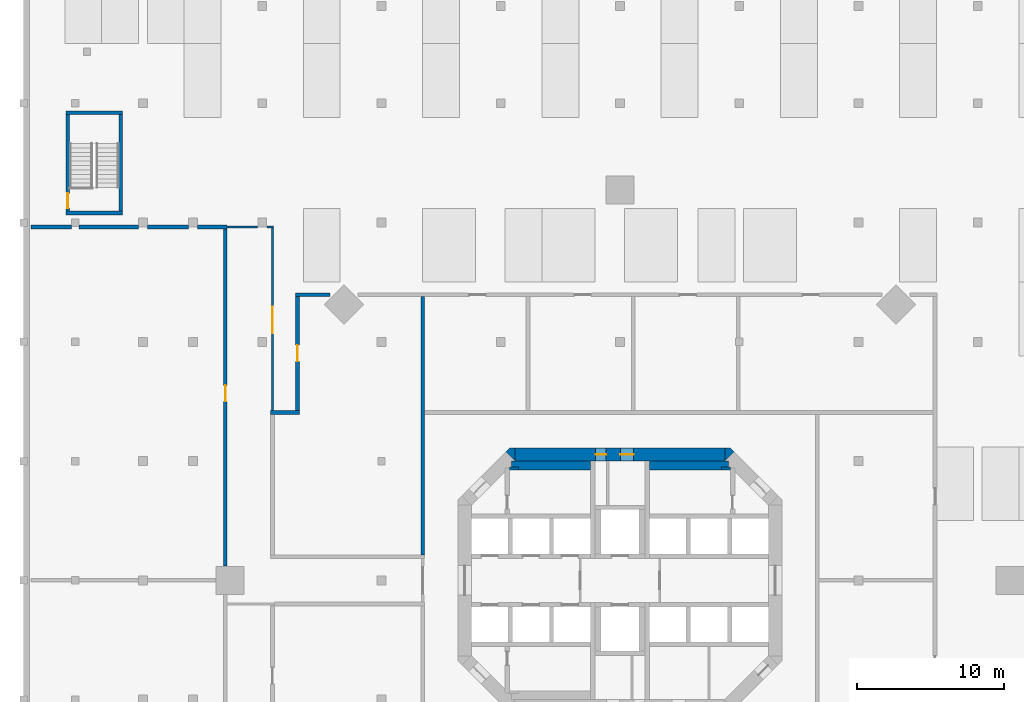
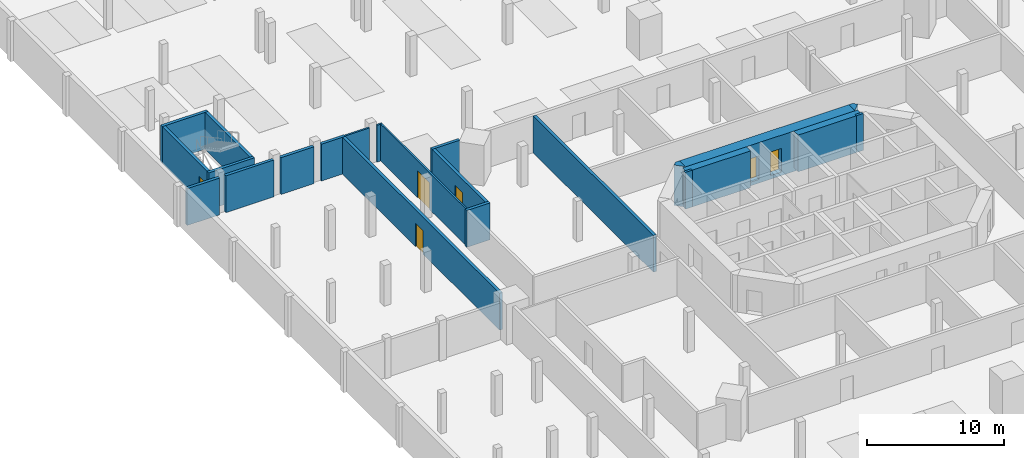
# One storey, part 9 of 14: 23 walls, 6 doors, 6 openings.
"""IFC4 building model written with IfcOpenShell, lengths in metres."""

import ifcopenshell
import ifcopenshell.guid

model = None  # the IFC model being written
_history = None  # IfcOwnerHistory: only IFC2X3 demands one
_inside = {}  # id of a spatial element -> (the spatial element, [elements in it])
_under = {}  # id of a project, library or spatial element -> (it, [spatial elements below it])
_declared = {}  # id of a project -> (the project, [libraries it declares])
_typed = {}  # id of a type object -> (the type object, [elements of that type])
_made_of = {}  # id of a material, layer set ... -> (it, [elements and type objects made of it])


def new_model(schema):
    """Start an empty IFC model of exactly this schema.

    Asked for "IFC4X3", IfcOpenShell would pick the latest addendum, in which some entities
    have other attributes; the version numbers below select the first issue.
    IFC2X3 requires an IfcOwnerHistory on every rooted entity: one is made here for all.
    """
    global model, _history
    if schema == "IFC4X3":
        model = ifcopenshell.file(schema_version=(4, 3, 0, 0))
    else:
        model = ifcopenshell.file(schema=schema)
    _inside.clear()
    _under.clear()
    _declared.clear()
    _typed.clear()
    _made_of.clear()
    _history = None
    if model.schema == "IFC2X3":
        org = make("IfcOrganization", Name="unknown")
        user = make(
            "IfcPersonAndOrganization",
            ThePerson=make("IfcPerson", FamilyName="unknown"),
            TheOrganization=org,
        )
        app = make(
            "IfcApplication",
            ApplicationDeveloper=org,
            Version="unknown",
            ApplicationFullName="unknown",
            ApplicationIdentifier="unknown",
        )
        _history = make(
            "IfcOwnerHistory",
            OwningUser=user,
            OwningApplication=app,
            ChangeAction="ADDED",
            CreationDate=0,
        )
    return model


def make(cls, **values):
    """One entity of the class cls with the attributes given. An attribute that is None is left unset."""
    return model.create_entity(
        cls, **{name: value for name, value in values.items() if value is not None}
    )


def rooted(cls, **values):
    """An entity with a GlobalId (a new one), such as an element, a storey or a relation."""
    return make(cls, GlobalId=ifcopenshell.guid.new(), OwnerHistory=_history, **values)


def si_unit(unit_type, name, prefix=None):
    """IfcSIUnit, for example si_unit("LENGTHUNIT", "METRE", prefix="MILLI")."""
    return make("IfcSIUnit", UnitType=unit_type, Prefix=prefix, Name=name)


def assignment(units):
    """IfcUnitAssignment: the units of a project."""
    return None if units is None else make("IfcUnitAssignment", Units=units)


def point(xyz):
    """IfcCartesianPoint."""
    return None if xyz is None else make("IfcCartesianPoint", Coordinates=xyz)


def direction(xyz):
    """IfcDirection."""
    return None if xyz is None else make("IfcDirection", DirectionRatios=xyz)


def frame(location, z_axis=None, x_axis=None):
    """IfcAxis2Placement3D, a coordinate frame: its origin and axes. An axis left out is left unset."""
    return make(
        "IfcAxis2Placement3D",
        Location=point(location),
        Axis=direction(z_axis),
        RefDirection=direction(x_axis),
    )


def frame_2d(location, x_axis=None):
    """IfcAxis2Placement2D, a coordinate frame in the plane: its origin and x axis."""
    return make(
        "IfcAxis2Placement2D", Location=point(location), RefDirection=direction(x_axis)
    )


def origin():
    """The frame at (0, 0, 0) with its axes left unset."""
    return frame((0.0, 0.0, 0.0))


def place(relative_to, where):
    """IfcLocalPlacement: puts the frame where relative to a parent placement (None: the world)."""
    return make(
        "IfcLocalPlacement", PlacementRelTo=relative_to, RelativePlacement=where
    )


def context(
    kind, dimensions, precision=None, world=None, true_north=None, identifier=None
):
    """IfcGeometricRepresentationContext, for example the 3D "Model" context."""
    return make(
        "IfcGeometricRepresentationContext",
        ContextIdentifier=identifier,
        ContextType=kind,
        CoordinateSpaceDimension=dimensions,
        Precision=precision,
        WorldCoordinateSystem=world,
        TrueNorth=true_north,
    )


def subcontext(parent, identifier, kind, view, scale=None):
    """IfcGeometricRepresentationSubContext, for example "Body" below "Model"."""
    return make(
        "IfcGeometricRepresentationSubContext",
        ContextIdentifier=identifier,
        ContextType=kind,
        ParentContext=parent,
        TargetScale=scale,
        TargetView=view,
    )


def project(units=None, contexts=None):
    """IfcProject with its units and contexts."""
    return rooted(
        "IfcProject",
        Name="project",
        RepresentationContexts=contexts,
        UnitsInContext=assignment(units),
    )


def spatial(cls, under=None, at=None, **own):
    """A site, building, storey or space (cls), placed at a placement, below another one or the project."""
    s = rooted(cls, ObjectPlacement=at, **own)
    if under is not None:
        _under.setdefault(under.id(), (under, []))[1].append(s)
    return s


def polyline(points):
    """IfcPolyline through the points."""
    return make("IfcPolyline", Points=[point(p) for p in points])


def profile(cls, at=None, kind="AREA", **sizes):
    """A parametric profile (cls). Its sizes go by their IFC names, for example OverallWidth=200.0."""
    return make(cls, ProfileType=kind, Position=at, **sizes)


def rectangle(**sizes):
    """IfcRectangleProfileDef."""
    return profile("IfcRectangleProfileDef", **sizes)


def outline(outer, holes=None, kind="AREA"):
    """IfcArbitraryClosedProfileDef: a profile drawn as a closed curve; with holes, ...WithVoids."""
    if holes is None:
        return make("IfcArbitraryClosedProfileDef", ProfileType=kind, OuterCurve=outer)
    return make(
        "IfcArbitraryProfileDefWithVoids",
        ProfileType=kind,
        OuterCurve=outer,
        InnerCurves=holes,
    )


def extrude(swept, where, along, depth):
    """IfcExtrudedAreaSolid: the profile swept, set in the frame where, extruded along a direction by depth."""
    return make(
        "IfcExtrudedAreaSolid",
        SweptArea=swept,
        Position=where,
        ExtrudedDirection=direction(along),
        Depth=depth,
    )


def shape(context_of_items, identifier, shape_type, items):
    """IfcShapeRepresentation: the items that make up one representation, for example the "Body"."""
    return make(
        "IfcShapeRepresentation",
        ContextOfItems=context_of_items,
        RepresentationIdentifier=identifier,
        RepresentationType=shape_type,
        Items=items,
    )


def material(Name=None, Category=None):
    """IfcMaterial."""
    return make("IfcMaterial", Name=Name, Category=Category)


def layer(
    of_material, thickness, ventilated=None, Name=None, Category=None, Priority=None
):
    """IfcMaterialLayer: one layer of a wall or slab, of a material (None: an air gap)."""
    return make(
        "IfcMaterialLayer",
        Material=of_material,
        LayerThickness=thickness,
        IsVentilated=ventilated,
        Name=Name,
        Category=Category,
        Priority=Priority,
    )


def layer_set(layers, Name=None):
    """IfcMaterialLayerSet."""
    return make("IfcMaterialLayerSet", MaterialLayers=layers, LayerSetName=Name)


def made_of(thing, what):
    """Note that an element or type object is made of a material, layer set ...; save() writes the relation."""
    if what is not None:
        _made_of.setdefault(what.id(), (what, []))[1].append(thing)
    return thing


def type_object(cls, material=None, **own):
    """A type object (cls), such as IfcWallType, which elements share."""
    return made_of(rooted(cls, **own), material)


def element(
    cls,
    number,
    at=None,
    inside=None,
    cuts=None,
    type_object=None,
    material=None,
    context=None,
    identifier="Body",
    shape_type=None,
    held_by="IfcProductDefinitionShape",
    body=None,
    shapes=None,
    **own,
):
    """One element of the class cls, such as IfcWall. Its Tag is "e" and its number.

    at: its placement. inside: the storey or other place that contains it. cuts: it is an
    opening in that element (IfcRelVoidsElement). A single representation is given by context,
    identifier, shape_type and body (its items); several are given by shapes. held_by: the class
    of the entity that holds the representations. save() writes the other relations.
    """
    e = rooted(cls, Tag="e%d" % number, ObjectPlacement=at, **own)
    if body is not None:
        shapes = [shape(context, identifier, shape_type, body)]
    if shapes is not None:
        e.Representation = make(held_by, Representations=shapes)
    if inside is not None:
        _inside.setdefault(inside.id(), (inside, []))[1].append(e)
    if cuts is not None:
        rooted(
            "IfcRelVoidsElement", RelatingBuildingElement=cuts, RelatedOpeningElement=e
        )
    if type_object is not None:
        _typed.setdefault(type_object.id(), (type_object, []))[1].append(e)
    return made_of(e, material)


def fill(opening, filler):
    """IfcRelFillsElement: the door or window that sits in an opening."""
    return rooted(
        "IfcRelFillsElement",
        RelatingOpeningElement=opening,
        RelatedBuildingElement=filler,
    )


def aggregate(whole, parts):
    """IfcRelAggregates: a whole, such as a stair, and the parts it consists of."""
    return rooted("IfcRelAggregates", RelatingObject=whole, RelatedObjects=parts)


def save(model, path):
    """Write the relations noted so far, then the file.

    IfcRelAggregates (storeys below a building ...), IfcRelContainedInSpatialStructure (elements
    in a storey), IfcRelDefinesByType, IfcRelAssociatesMaterial and IfcRelDeclares: one each for
    every whole, place, type object, material and project.
    """
    for whole, parts in _under.values():
        aggregate(whole, parts)
    for where, things in _inside.values():
        rooted(
            "IfcRelContainedInSpatialStructure",
            RelatedElements=things,
            RelatingStructure=where,
        )
    for kind, things in _typed.values():
        rooted("IfcRelDefinesByType", RelatedObjects=things, RelatingType=kind)
    for what, things in _made_of.values():
        rooted("IfcRelAssociatesMaterial", RelatedObjects=things, RelatingMaterial=what)
    for by, libraries in _declared.values():
        rooted("IfcRelDeclares", RelatingContext=by, RelatedDefinitions=libraries)
    model.write(path)


model = new_model("IFC4")

# Units and contexts
model_context = context("Model", 3, precision=1e-05, world=origin(), true_north=direction((0.0, 1.0)))
body_context = subcontext(model_context, "Body", "Model", "MODEL_VIEW")
ifc_project = project(units=[si_unit("LENGTHUNIT", "METRE"), si_unit("AREAUNIT", "SQUARE_METRE"), si_unit("VOLUMEUNIT", "CUBIC_METRE"), si_unit("PLANEANGLEUNIT", "RADIAN"), si_unit("MASSUNIT", "GRAM", prefix="KILO")], contexts=[model_context])

# Site, building, storey
site_placement = place(None, origin())
site = spatial("IfcSite", under=ifc_project, at=site_placement, CompositionType="ELEMENT")
building_placement = place(site_placement, origin())
building = spatial("IfcBuilding", under=site, at=building_placement, Name="Torre Triforio", CompositionType="ELEMENT")
storey_placement = place(building_placement, frame((0.0, 0.0, -7.199951171875)))
storey = spatial("IfcBuildingStorey", under=building, at=storey_placement, Name="B2", CompositionType="ELEMENT", Elevation=-7.199951171875)

# Wall, openings, doors
ifc_material_1 = material(Name="Concrete C60", Category="concrete")
ifc_layer_1 = layer(ifc_material_1, 0.89990234375)
ifc_layer_set_1 = layer_set([ifc_layer_1], Name="Concrete C60")
wall_type_1 = type_object("IfcWallType", Name="Core wall 900 mm C60 EI 120", PredefinedType="SHEAR", material=ifc_layer_set_1)
wall_1_placement = place(storey_placement, frame((-7.1298828125, 8.550048828125, -0.320068359375), z_axis=(0.0, 0.0, 1.0), x_axis=(1.0, 0.0, 0.0)))
wall_1 = element("IfcWall", 1, at=wall_1_placement, inside=storey, type_object=wall_type_1, Name="Core wall", PredefinedType="SHEAR", context=body_context, shape_type="SweptSolid", body=[
    extrude(rectangle(XDim=14.259765625, YDim=0.89990234375, at=frame_2d((7.1298828125, 0.0))), origin(), (0.0, 0.0, 1.0), 3.60009765625),
])
opening_1_placement = place(wall_1_placement, frame((5.47998046875, 0.0, 0.320068359375)))
opening_1 = element("IfcOpeningElement", 2, at=opening_1_placement, cuts=wall_1, Name="Opening RISER-N", PredefinedType="OPENING", context=body_context, shape_type="SweptSolid", body=[
    extrude(rectangle(XDim=0.699951171875, YDim=2.10009765625, at=frame_2d((0.35009765625, 1.050048828125))), frame((0.0, 0.4599609375, 0.0), z_axis=(0.0, -1.0, 0.0), x_axis=(1.0, 0.0, 0.0)), (0.0, 0.0, 1.0), 0.919921875),
])
opening_2_placement = place(wall_1_placement, frame((7.155029296875, 0.0, 0.320068359375)))
opening_2 = element("IfcOpeningElement", 3, at=opening_2_placement, cuts=wall_1, Name="Opening NE-01", PredefinedType="OPENING", context=body_context, shape_type="SweptSolid", body=[
    extrude(rectangle(XDim=0.89990234375, YDim=2.10009765625, at=frame_2d((0.449951171875, 1.050048828125))), frame((0.0, 0.4599609375, 0.0), z_axis=(0.0, -1.0, 0.0), x_axis=(1.0, 0.0, 0.0)), (0.0, 0.0, 1.0), 0.919921875),
])
ifc_material_2 = material(Name="Hollow metal fire door leaf")
door_type_1 = type_object("IfcDoorType", Name="Riser door 700 x 2100 EI 60", OperationType="NOTDEFINED", PredefinedType="DOOR", material=ifc_material_2)
door_1_placement = place(opening_1_placement, origin())
door_1 = element("IfcDoor", 4, at=door_1_placement, inside=storey, type_object=door_type_1, Name="Core door RISER-N", OperationType="SINGLE_SWING_LEFT", OverallHeight=2.10009765625, OverallWidth=0.699951171875, PredefinedType="DOOR", context=body_context, shape_type="SweptSolid", body=[
    extrude(rectangle(XDim=0.699951171875, YDim=2.10009765625, at=frame_2d((0.35009765625, 1.050048828125))), frame((0.0, 0.02490234375, 0.0), z_axis=(0.0, -1.0, 0.0), x_axis=(1.0, 0.0, 0.0)), (0.0, 0.0, 1.0), 0.050048828125),
])
fill(opening_1, door_1)
door_type_2 = type_object("IfcDoorType", Name="Room door 900 x 2100 EI 60", OperationType="NOTDEFINED", PredefinedType="DOOR", material=ifc_material_2)
door_2_placement = place(opening_2_placement, origin())
door_2 = element("IfcDoor", 5, at=door_2_placement, inside=storey, type_object=door_type_2, Name="Core door NE-01", OperationType="SINGLE_SWING_LEFT", OverallHeight=2.10009765625, OverallWidth=0.89990234375, PredefinedType="DOOR", context=body_context, shape_type="SweptSolid", body=[
    extrude(rectangle(XDim=0.89990234375, YDim=2.10009765625, at=frame_2d((0.449951171875, 1.050048828125))), frame((0.0, 0.02490234375, 0.0), z_axis=(0.0, -1.0, 0.0), x_axis=(1.0, 0.0, 0.0)), (0.0, 0.0, 1.0), 0.050048828125),
])
fill(opening_2, door_2)

# Walls
wall_2_placement = place(storey_placement, frame((0.0, 0.0, -0.320068359375)))
element("IfcWall", 6, at=wall_2_placement, inside=storey, type_object=wall_type_1, Name="Core wall", PredefinedType="SHEAR", context=body_context, shape_type="SweptSolid", body=[
    extrude(outline(polyline([(-7.472900390625, 9.0), (-7.1298828125, 9.0), (-7.1298828125, 8.1298828125), (-7.736328125, 8.736328125), (-7.472900390625, 9.0)])), origin(), (0.0, 0.0, 1.0), 3.60009765625),
])
wall_3_placement = place(storey_placement, frame((0.0, 0.0, -0.320068359375)))
element("IfcWall", 7, at=wall_3_placement, inside=storey, type_object=wall_type_1, Name="Core wall", PredefinedType="SHEAR", context=body_context, shape_type="SweptSolid", body=[
    extrude(outline(polyline([(7.472900390625, 9.0), (7.736328125, 8.736328125), (7.1298828125, 8.1298828125), (7.1298828125, 9.0), (7.472900390625, 9.0)])), origin(), (0.0, 0.0, 1.0), 3.60009765625),
])
ifc_material_3 = material(Name="Plasterboard on metal studs")
ifc_layer_2 = layer(ifc_material_3, 0.14990234375)
ifc_layer_set_2 = layer_set([ifc_layer_2], Name="Plasterboard on metal studs")
wall_type_2 = type_object("IfcWallType", Name="Corridor wall 150 EI 60", PredefinedType="PARTITIONING", material=ifc_layer_set_2)
wall_4_placement = place(storey_placement, frame((-26.675048828125, 24.0, 0.0), z_axis=(0.0, 0.0, 1.0), x_axis=(1.0, 0.0, 0.0)))
element("IfcWall", 8, at=wall_4_placement, inside=storey, type_object=wall_type_2, Name="Corridor wall B2 027", PredefinedType="PARTITIONING", context=body_context, shape_type="SweptSolid", body=[
    extrude(rectangle(XDim=2.06494140625, YDim=0.14990234375, at=frame_2d((1.032470703125, 0.0))), origin(), (0.0, 0.0, 1.0), 3.280029296875),
])
wall_5_placement = place(storey_placement, frame((-23.989990234375, 24.0, 0.0), z_axis=(0.0, 0.0, 1.0), x_axis=(1.0, 0.0, 0.0)))
element("IfcWall", 9, at=wall_5_placement, inside=storey, type_object=wall_type_2, Name="Corridor wall B2 028", PredefinedType="PARTITIONING", context=body_context, shape_type="SweptSolid", body=[
    extrude(rectangle(XDim=0.465087890625, YDim=0.14990234375, at=frame_2d((0.232421875, 0.0))), origin(), (0.0, 0.0, 1.0), 3.280029296875),
])

# Wall, opening, door
wall_6_placement = place(storey_placement, frame((-23.60009765625, 11.52490234375, 0.0), z_axis=(0.0, 0.0, 1.0), x_axis=(0.0, 1.0, 0.0)))
wall_6 = element("IfcWall", 10, at=wall_6_placement, inside=storey, type_object=wall_type_2, Name="Corridor wall B2 029", PredefinedType="PARTITIONING", context=body_context, shape_type="SweptSolid", body=[
    extrude(rectangle(XDim=12.400146484375, YDim=0.14990234375, at=frame_2d((6.2001953125, 0.0))), origin(), (0.0, 0.0, 1.0), 3.280029296875),
])
opening_3_placement = place(wall_6_placement, frame((5.25, 0.0, 0.0)))
opening_3 = element("IfcOpeningElement", 11, at=opening_3_placement, cuts=wall_6, Name="Opening BS2-19", PredefinedType="OPENING", context=body_context, shape_type="SweptSolid", body=[
    extrude(rectangle(XDim=1.800048828125, YDim=2.39990234375, at=frame_2d((0.89990234375, 1.199951171875))), frame((0.0, 0.0849609375, 0.0), z_axis=(0.0, -1.0, 0.0), x_axis=(1.0, 0.0, 0.0)), (0.0, 0.0, 1.0), 0.169921875),
])
ifc_material_4 = material(Name="Timber door leaf", Category="wood")
door_type_3 = type_object("IfcDoorType", Name="Double door 1800 x 2400 EI 60", OperationType="NOTDEFINED", PredefinedType="DOOR", material=ifc_material_4)
door_3_placement = place(opening_3_placement, origin())
door_3 = element("IfcDoor", 12, at=door_3_placement, inside=storey, type_object=door_type_3, Name="Door BS2-19", OperationType="SINGLE_SWING_LEFT", OverallHeight=2.39990234375, OverallWidth=1.800048828125, PredefinedType="DOOR", context=body_context, shape_type="SweptSolid", body=[
    extrude(rectangle(XDim=1.800048828125, YDim=2.39990234375, at=frame_2d((0.89990234375, 1.199951171875))), frame((0.0, 0.02490234375, 0.0), z_axis=(0.0, -1.0, 0.0), x_axis=(1.0, 0.0, 0.0)), (0.0, 0.0, 1.0), 0.050048828125),
])
fill(opening_3, door_3)

# Walls
ifc_material_5 = material(Name="Masonry block", Category="masonry")
ifc_layer_3 = layer(ifc_material_5, 0.25)
ifc_layer_set_3 = layer_set([ifc_layer_3], Name="Masonry block")
wall_type_3 = type_object("IfcWallType", Name="Plant room wall 250 EI 120", PredefinedType="PARTITIONING", material=ifc_layer_set_3)
wall_7_placement = place(storey_placement, frame((-40.0, 24.0, 0.0), z_axis=(0.0, 0.0, 1.0), x_axis=(1.0, 0.0, 0.0)))
element("IfcWall", 13, at=wall_7_placement, inside=storey, type_object=wall_type_3, Name="Plant room wall B2 037", PredefinedType="PARTITIONING", context=body_context, shape_type="SweptSolid", body=[
    extrude(rectangle(XDim=2.739990234375, YDim=0.25, at=frame_2d((1.3701171875, 0.0))), origin(), (0.0, 0.0, 1.0), 3.280029296875),
])
wall_8_placement = place(storey_placement, frame((-36.739990234375, 24.0, 0.0), z_axis=(0.0, 0.0, 1.0), x_axis=(1.0, 0.0, 0.0)))
element("IfcWall", 14, at=wall_8_placement, inside=storey, type_object=wall_type_3, Name="Plant room wall B2 038", PredefinedType="PARTITIONING", context=body_context, shape_type="SweptSolid", body=[
    extrude(rectangle(XDim=4.030029296875, YDim=0.25, at=frame_2d((2.01513671875, 0.0))), origin(), (0.0, 0.0, 1.0), 3.280029296875),
])
wall_9_placement = place(storey_placement, frame((-32.090087890625, 24.0, 0.0), z_axis=(0.0, 0.0, 1.0), x_axis=(1.0, 0.0, 0.0)))
element("IfcWall", 15, at=wall_9_placement, inside=storey, type_object=wall_type_3, Name="Plant room wall B2 039", PredefinedType="PARTITIONING", context=body_context, shape_type="SweptSolid", body=[
    extrude(rectangle(XDim=2.780029296875, YDim=0.25, at=frame_2d((1.39013671875, 0.0))), origin(), (0.0, 0.0, 1.0), 3.280029296875),
])
wall_10_placement = place(storey_placement, frame((-28.68994140625, 24.0, 0.0), z_axis=(0.0, 0.0, 1.0), x_axis=(1.0, 0.0, 0.0)))
element("IfcWall", 16, at=wall_10_placement, inside=storey, type_object=wall_type_3, Name="Plant room wall B2 040", PredefinedType="PARTITIONING", context=body_context, shape_type="SweptSolid", body=[
    extrude(rectangle(XDim=2.014892578125, YDim=0.25, at=frame_2d((1.00732421875, 0.0))), origin(), (0.0, 0.0, 1.0), 3.280029296875),
])
wall_11_placement = place(storey_placement, frame((-23.72509765625, 11.39990234375, 0.0), z_axis=(0.0, 0.0, 1.0), x_axis=(1.0, 0.0, 0.0)))
element("IfcWall", 17, at=wall_11_placement, inside=storey, type_object=wall_type_3, Name="Plant room wall B2 041", PredefinedType="PARTITIONING", context=body_context, shape_type="SweptSolid", body=[
    extrude(rectangle(XDim=1.9501953125, YDim=0.25, at=frame_2d((0.97509765625, 0.0))), origin(), (0.0, 0.0, 1.0), 3.280029296875),
])
wall_12_placement = place(storey_placement, frame((-22.02490234375, 19.39990234375, 0.0), z_axis=(0.0, 0.0, 1.0), x_axis=(1.0, 0.0, 0.0)))
element("IfcWall", 18, at=wall_12_placement, inside=storey, type_object=wall_type_3, Name="Plant room wall B2 042", PredefinedType="PARTITIONING", context=body_context, shape_type="SweptSolid", body=[
    extrude(rectangle(XDim=2.32666015625, YDim=0.25, at=frame_2d((1.163330078125, 0.0))), origin(), (0.0, 0.0, 1.0), 3.280029296875),
])

# Wall, opening, door
wall_13_placement = place(storey_placement, frame((-21.89990234375, 11.52490234375, 0.0), z_axis=(0.0, 0.0, 1.0), x_axis=(0.0, 1.0, 0.0)))
wall_13 = element("IfcWall", 19, at=wall_13_placement, inside=storey, type_object=wall_type_3, Name="Plant room wall B2 044", PredefinedType="PARTITIONING", context=body_context, shape_type="SweptSolid", body=[
    extrude(rectangle(XDim=7.75, YDim=0.25, at=frame_2d((3.875, 0.0))), origin(), (0.0, 0.0, 1.0), 3.280029296875),
])
opening_4_placement = place(wall_13_placement, frame((3.35009765625, 0.0, 0.0)))
opening_4 = element("IfcOpeningElement", 20, at=opening_4_placement, cuts=wall_13, Name="Opening BS2-17", PredefinedType="OPENING", context=body_context, shape_type="SweptSolid", body=[
    extrude(rectangle(XDim=1.10009765625, YDim=2.10009765625, at=frame_2d((0.550048828125, 1.050048828125))), frame((0.0, 0.135009765625, 0.0), z_axis=(0.0, -1.0, 0.0), x_axis=(1.0, 0.0, 0.0)), (0.0, 0.0, 1.0), 0.27001953125),
])
door_type_4 = type_object("IfcDoorType", Name="Plant room door 1100 x 2100 EI 60", OperationType="NOTDEFINED", PredefinedType="DOOR", material=ifc_material_2)
door_4_placement = place(opening_4_placement, origin())
door_4 = element("IfcDoor", 21, at=door_4_placement, inside=storey, type_object=door_type_4, Name="Door BS2-17", OperationType="SINGLE_SWING_LEFT", OverallHeight=2.10009765625, OverallWidth=1.10009765625, PredefinedType="DOOR", context=body_context, shape_type="SweptSolid", body=[
    extrude(rectangle(XDim=1.10009765625, YDim=2.10009765625, at=frame_2d((0.550048828125, 1.050048828125))), frame((0.0, 0.02490234375, 0.0), z_axis=(0.0, -1.0, 0.0), x_axis=(1.0, 0.0, 0.0)), (0.0, 0.0, 1.0), 0.050048828125),
])
fill(opening_4, door_4)

wall_14_placement = place(storey_placement, frame((-26.800048828125, 0.9599609375, 0.0), z_axis=(0.0, 0.0, 1.0), x_axis=(0.0, 1.0, 0.0)))
wall_14 = element("IfcWall", 22, at=wall_14_placement, inside=storey, type_object=wall_type_3, Name="Plant room wall B2 051", PredefinedType="PARTITIONING", context=body_context, shape_type="SweptSolid", body=[
    extrude(rectangle(XDim=22.9150390625, YDim=0.25, at=frame_2d((11.45751953125, 0.0))), origin(), (0.0, 0.0, 1.0), 3.280029296875),
])
opening_5_placement = place(wall_14_placement, frame((11.18994140625, 0.0, 0.0)))
opening_5 = element("IfcOpeningElement", 23, at=opening_5_placement, cuts=wall_14, Name="Opening BS2-16", PredefinedType="OPENING", context=body_context, shape_type="SweptSolid", body=[
    extrude(rectangle(XDim=1.10009765625, YDim=2.10009765625, at=frame_2d((0.550048828125, 1.050048828125))), frame((0.0, 0.135009765625, 0.0), z_axis=(0.0, -1.0, 0.0), x_axis=(1.0, 0.0, 0.0)), (0.0, 0.0, 1.0), 0.27001953125),
])
door_5_placement = place(opening_5_placement, origin())
door_5 = element("IfcDoor", 24, at=door_5_placement, inside=storey, type_object=door_type_4, Name="Door BS2-16", OperationType="SINGLE_SWING_LEFT", OverallHeight=2.10009765625, OverallWidth=1.10009765625, PredefinedType="DOOR", context=body_context, shape_type="SweptSolid", body=[
    extrude(rectangle(XDim=1.10009765625, YDim=2.10009765625, at=frame_2d((0.550048828125, 1.050048828125))), frame((0.0, 0.02490234375, 0.0), z_axis=(0.0, -1.0, 0.0), x_axis=(1.0, 0.0, 0.0)), (0.0, 0.0, 1.0), 0.050048828125),
])
fill(opening_5, door_5)

# Walls
wall_15_placement = place(storey_placement, frame((-13.39990234375, 1.72509765625, 0.0), z_axis=(0.0, 0.0, 1.0), x_axis=(0.0, 1.0, 0.0)))
element("IfcWall", 25, at=wall_15_placement, inside=storey, type_object=wall_type_3, Name="Plant room wall B2 056", PredefinedType="PARTITIONING", context=body_context, shape_type="SweptSolid", body=[
    extrude(rectangle(XDim=17.5498046875, YDim=0.25, at=frame_2d((8.77490234375, 0.0))), origin(), (0.0, 0.0, 1.0), 3.280029296875),
])
ifc_material_6 = material(Name="Concrete C40", Category="concrete")
ifc_layer_4 = layer(ifc_material_6, 0.25)
ifc_layer_set_4 = layer_set([ifc_layer_4], Name="Concrete C40")
wall_type_4 = type_object("IfcWallType", Name="Stair enclosure wall 250 EI 120", PredefinedType="STANDARD", material=ifc_layer_set_4)
for number, where, z_axis, x_axis, name in (
    (26, (-37.625, 24.949951171875, 0.0), (0.0, 0.0, 1.0), (1.0, 0.0, 0.0), "Stair enclosure wall B2 005"),
    (27, (-37.625, 31.75, 0.0), (0.0, 0.0, 1.0), (1.0, 0.0, 0.0), "Stair enclosure wall B2 006"),
):
    element("IfcWall", number, at=place(storey_placement, frame(where, z_axis=z_axis, x_axis=x_axis)), inside=storey, type_object=wall_type_4, Name=name, PredefinedType="STANDARD", context=body_context, shape_type="SweptSolid", body=[
        extrude(rectangle(XDim=3.85009765625, YDim=0.25, at=frame_2d((1.925048828125, 0.0))), origin(), (0.0, 0.0, 1.0), 3.280029296875),
    ])

# Wall, opening, door
wall_16_placement = place(storey_placement, frame((-37.5, 25.074951171875, 0.0), z_axis=(0.0, 0.0, 1.0), x_axis=(0.0, 1.0, 0.0)))
wall_16 = element("IfcWall", 28, at=wall_16_placement, inside=storey, type_object=wall_type_4, Name="Stair enclosure wall B2 007", PredefinedType="STANDARD", context=body_context, shape_type="SweptSolid", body=[
    extrude(rectangle(XDim=6.550048828125, YDim=0.25, at=frame_2d((3.27490234375, 0.0))), origin(), (0.0, 0.0, 1.0), 3.280029296875),
])
opening_6_placement = place(wall_16_placement, frame((0.199951171875, 0.0, 0.0)))
opening_6 = element("IfcOpeningElement", 29, at=opening_6_placement, cuts=wall_16, Name="Opening BS2-02", PredefinedType="OPENING", context=body_context, shape_type="SweptSolid", body=[
    extrude(rectangle(XDim=1.0, YDim=2.10009765625, at=frame_2d((0.5, 1.050048828125))), frame((0.0, 0.135009765625, 0.0), z_axis=(0.0, -1.0, 0.0), x_axis=(1.0, 0.0, 0.0)), (0.0, 0.0, 1.0), 0.27001953125),
])
door_type_5 = type_object("IfcDoorType", Name="Stair door 1000 x 2100 EI 90", OperationType="NOTDEFINED", PredefinedType="DOOR", material=ifc_material_2)
door_6_placement = place(opening_6_placement, origin())
door_6 = element("IfcDoor", 30, at=door_6_placement, inside=storey, type_object=door_type_5, Name="Door BS2-02", OperationType="SINGLE_SWING_LEFT", OverallHeight=2.10009765625, OverallWidth=1.0, PredefinedType="DOOR", context=body_context, shape_type="SweptSolid", body=[
    extrude(rectangle(XDim=1.0, YDim=2.10009765625, at=frame_2d((0.5, 1.050048828125))), frame((0.0, 0.02490234375, 0.0), z_axis=(0.0, -1.0, 0.0), x_axis=(1.0, 0.0, 0.0)), (0.0, 0.0, 1.0), 0.050048828125),
])
fill(opening_6, door_6)

# Walls
wall_17_placement = place(storey_placement, frame((-33.89990234375, 25.074951171875, 0.0), z_axis=(0.0, 0.0, 1.0), x_axis=(0.0, 1.0, 0.0)))
element("IfcWall", 31, at=wall_17_placement, inside=storey, type_object=wall_type_4, Name="Stair enclosure wall B2 008", PredefinedType="STANDARD", context=body_context, shape_type="SweptSolid", body=[
    extrude(rectangle(XDim=6.550048828125, YDim=0.25, at=frame_2d((3.27490234375, 0.0))), origin(), (0.0, 0.0, 1.0), 3.280029296875),
])
ifc_layer_5 = layer(ifc_material_1, 0.199951171875)
ifc_layer_set_5 = layer_set([ifc_layer_5], Name="Concrete C60")
wall_type_5 = type_object("IfcWallType", Name="Stair wall 200 mm C60 EI 120", PredefinedType="SHEAR", material=ifc_layer_set_5)
for number, where, z_axis, x_axis, name in (
    (32, (-7.5, 7.60009765625, 0.0), (0.0, 0.0, 1.0), (1.0, 0.0, 0.0), "Stair wall"),
    (33, (6.89990234375, 7.60009765625, 0.0), (0.0, 0.0, 1.0), (1.0, 0.0, 0.0), "Stair wall"),
):
    element("IfcWall", number, at=place(storey_placement, frame(where, z_axis=z_axis, x_axis=x_axis)), inside=storey, type_object=wall_type_5, Name=name, PredefinedType="SHEAR", context=body_context, shape_type="SweptSolid", body=[
        extrude(rectangle(XDim=0.60009765625, YDim=0.199951171875, at=frame_2d((0.300048828125, 0.0))), origin(), (0.0, 0.0, 1.0), 3.280029296875),
    ])
ifc_layer_6 = layer(ifc_material_1, 0.60009765625)
ifc_layer_set_6 = layer_set([ifc_layer_6], Name="Concrete C60")
wall_type_6 = type_object("IfcWallType", Name="Stair wall 600 mm C60 EI 120", PredefinedType="SHEAR", material=ifc_layer_set_6)
for number, where, z_axis, x_axis, name in (
    (34, (-7.3701171875, 7.800048828125, 0.0), (0.0, 0.0, 1.0), (1.0, 0.0, 0.0), "Stair wall"),
    (35, (2.0, 7.800048828125, 0.0), (0.0, 0.0, 1.0), (1.0, 0.0, 0.0), "Stair wall"),
):
    element("IfcWall", number, at=place(storey_placement, frame(where, z_axis=z_axis, x_axis=x_axis)), inside=storey, type_object=wall_type_6, Name=name, PredefinedType="SHEAR", context=body_context, shape_type="SweptSolid", body=[
        extrude(rectangle(XDim=5.3701171875, YDim=0.60009765625, at=frame_2d((2.68505859375, 0.0))), origin(), (0.0, 0.0, 1.0), 3.280029296875),
    ])

save(model, "model.ifc")
